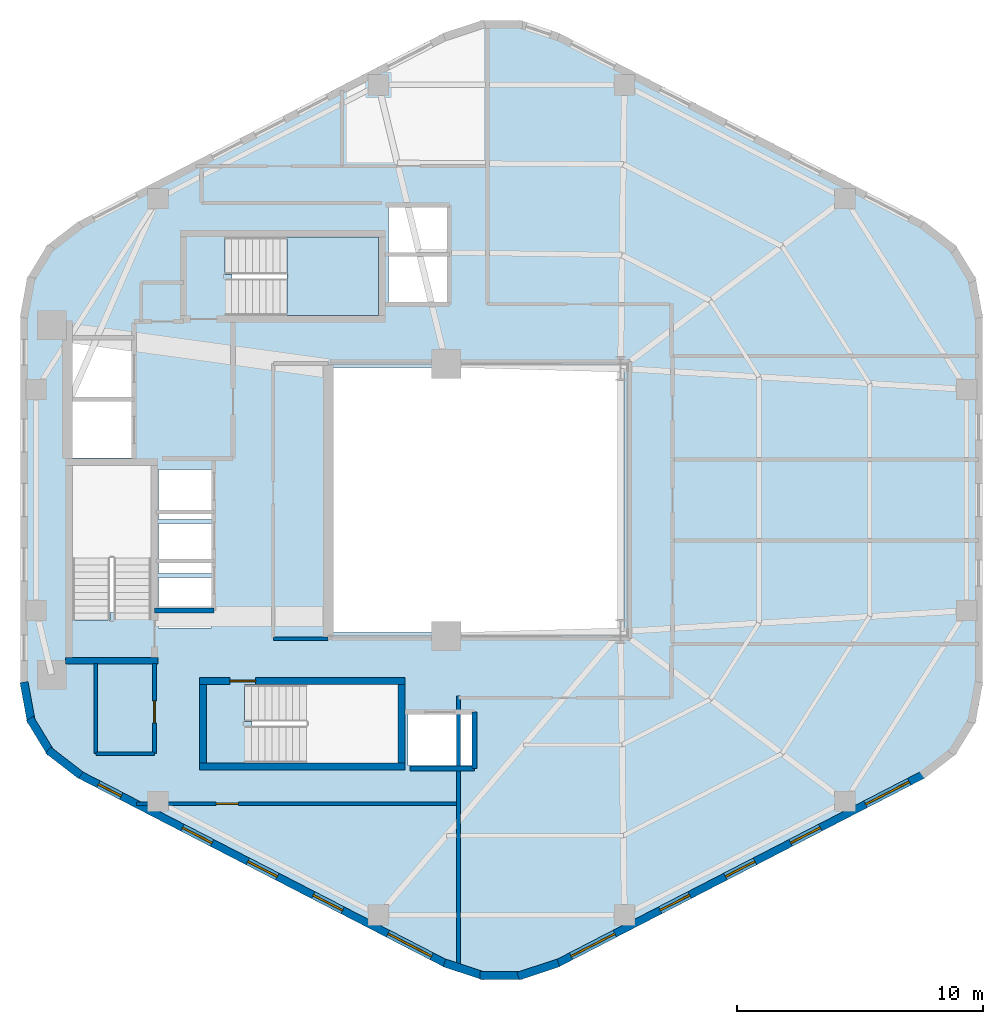
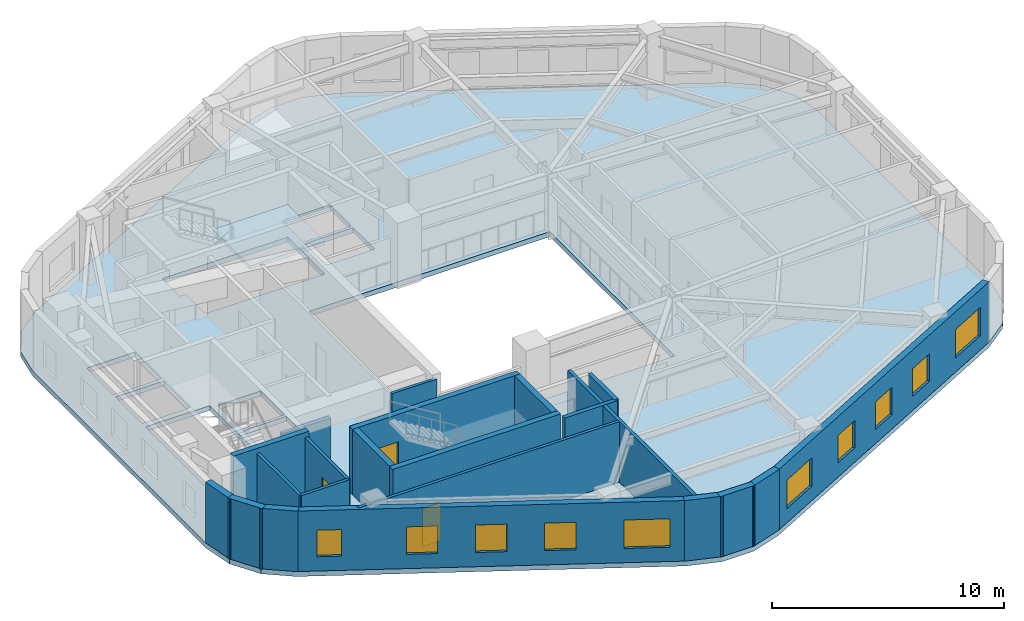
# One storey, part 2 of 6: 22 walls, 10 windows, 3 doors, 2 slabs, 13 openings, 1 element without a shape of its own.
"""IFC4 building model written with IfcOpenShell, lengths in metres."""

from ifc_helpers import new_model, si_unit, direction, frame, frame_2d, origin, place, context, subcontext, project, spatial, polyline, rectangle, outline, extrude, material, layer, layer_set, type_object, element, fill, aggregate, save


model = new_model("IFC4")

# Units and contexts
model_context = context("Model", 3, precision=1e-05, world=origin(), true_north=direction((0.0, 1.0)))
body_context = subcontext(model_context, "Body", "Model", "MODEL_VIEW")
ifc_project = project(units=[si_unit("LENGTHUNIT", "METRE"), si_unit("AREAUNIT", "SQUARE_METRE"), si_unit("VOLUMEUNIT", "CUBIC_METRE"), si_unit("PLANEANGLEUNIT", "RADIAN"), si_unit("MASSUNIT", "GRAM", prefix="KILO"), si_unit("THERMODYNAMICTEMPERATUREUNIT", "KELVIN"), si_unit("POWERUNIT", "WATT")], contexts=[model_context])

# Site, building, storey
site_placement = place(None, origin())
site = spatial("IfcSite", under=ifc_project, at=site_placement, CompositionType="ELEMENT")
building_placement = place(site_placement, origin())
building = spatial("IfcBuilding", under=site, at=building_placement, Name="Skarre Station Tower", CompositionType="ELEMENT")
storey_placement = place(building_placement, frame((0.0, 0.0, 206.800048828125)))
storey = spatial("IfcBuildingStorey", under=building, at=storey_placement, Name="L56", CompositionType="ELEMENT", Elevation=206.800048828125)

# Stair, slab
ifc_material_1 = material(Name="Concrete C40/50", Category="concrete")
stair_type = type_object("IfcStairType", Name="Reinforced Concrete Exit Stair ST-3", PredefinedType="HALF_TURN_STAIR", material=ifc_material_1)
stair_placement = place(storey_placement, origin())
stair = element("IfcStair", 1, at=stair_placement, inside=storey, type_object=stair_type, Name="L56 Core Exit Stair ST-3", PredefinedType="HALF_TURN_STAIR")
ifc_layer_1 = layer(ifc_material_1, 0.219970703125, Name="Concrete C40/50")
ifc_layer_set_1 = layer_set([ifc_layer_1], Name="Concrete C40/50")
slab_type_1 = type_object("IfcSlabType", Name="Reinforced Concrete Stair & Ramp Landing 220", PredefinedType="LANDING", material=ifc_layer_set_1)
slab_1_placement = place(storey_placement, frame((0.0, 0.0, 1.52490234375)))
slab_1 = element("IfcSlab", 2, at=slab_1_placement, type_object=slab_type_1, Name="ST-3 landing 1", PredefinedType="LANDING", context=body_context, shape_type="SweptSolid", body=[
    extrude(outline(polyline([(25.8701171875, 31.5), (29.60009765625, 31.5), (29.60009765625, 34.699951171875), (25.8701171875, 34.699951171875), (25.8701171875, 31.5)])), origin(), (0.0, 0.0, 1.0), 0.199951171875),
])
aggregate(stair, [slab_1])

# Slab
ifc_material_2 = material(Name="Concrete C50/60", Category="concrete")
ifc_layer_2 = layer(ifc_material_2, 0.260009765625, Name="Concrete C50/60")
ifc_layer_set_2 = layer_set([ifc_layer_2], Name="Concrete C50/60")
slab_type_2 = type_object("IfcSlabType", Name="Tower Typical Composite Floor Slab 260", PredefinedType="FLOOR", material=ifc_layer_set_2)
slab_2_placement = place(storey_placement, frame((0.0, 0.0, -0.260009765625)))
element("IfcSlab", 3, at=slab_2_placement, inside=storey, type_object=slab_type_2, Name="L56 Zone 3 Structural Floor Slab", PredefinedType="FLOOR", context=body_context, shape_type="SweptSolid", body=[
    extrude(outline(polyline([(54.172119140625, 31.501953125), (53.89208984375, 33.02294921875), (53.0869140625, 34.344970703125), (51.863037109375, 35.291015625), (36.908935546875, 43.009033203125), (35.39599609375, 43.506103515625), (33.803955078125, 43.506103515625), (32.291015625, 43.009033203125), (17.3369140625, 35.291015625), (16.113037109375, 34.344970703125), (15.30810546875, 33.02294921875), (15.028076171875, 31.501953125), (15.028076171875, 16.498046875), (15.30810546875, 14.97705078125), (16.113037109375, 13.655029296875), (17.3369140625, 12.708984375), (32.291015625, 4.990966796875), (33.803955078125, 4.493896484375), (35.39599609375, 4.493896484375), (36.908935546875, 4.990966796875), (51.863037109375, 12.708984375), (53.0869140625, 13.655029296875), (53.89208984375, 14.97705078125), (54.172119140625, 16.498046875), (54.172119140625, 31.501953125)]), holes=[polyline([(18.669921875, 19.419921875), (18.669921875, 19.123046875), (17.14990234375, 19.123046875), (17.14990234375, 25.39990234375), (20.35009765625, 25.39990234375), (20.35009765625, 19.419921875), (18.669921875, 19.419921875)]), polyline([(24.449951171875, 14.97998046875), (24.153076171875, 14.97998046875), (24.153076171875, 16.5), (30.39990234375, 16.5), (30.39990234375, 13.300048828125), (24.449951171875, 13.300048828125), (24.449951171875, 14.97998046875)]), polyline([(23.64990234375, 33.179931640625), (23.35302734375, 33.179931640625), (23.35302734375, 34.699951171875), (29.60009765625, 34.699951171875), (29.60009765625, 31.5), (23.64990234375, 31.5), (23.64990234375, 33.179931640625)]), polyline([(17.14990234375, 28.0), (19.550048828125, 28.0), (19.550048828125, 25.699951171875), (17.14990234375, 25.699951171875), (17.14990234375, 28.0)]), polyline([(17.14990234375, 30.5), (19.550048828125, 30.5), (19.550048828125, 28.199951171875), (17.14990234375, 28.199951171875), (17.14990234375, 30.5)]), polyline([(30.800048828125, 15.300048828125), (33.39990234375, 15.300048828125), (33.39990234375, 13.199951171875), (30.800048828125, 13.199951171875), (30.800048828125, 15.300048828125)]), polyline([(20.64990234375, 20.85009765625), (22.800048828125, 20.85009765625), (22.800048828125, 18.800048828125), (20.64990234375, 18.800048828125), (20.64990234375, 20.85009765625)]), polyline([(20.64990234375, 23.050048828125), (22.800048828125, 23.050048828125), (22.800048828125, 21.0), (20.64990234375, 21.0), (20.64990234375, 23.050048828125)]), polyline([(20.64990234375, 25.25), (22.800048828125, 25.25), (22.800048828125, 23.199951171875), (20.64990234375, 23.199951171875), (20.64990234375, 25.25)]), polyline([(30.0, 33.89990234375), (32.39990234375, 33.89990234375), (32.39990234375, 32.050048828125), (30.0, 32.050048828125), (30.0, 33.89990234375)]), polyline([(30.0, 35.89990234375), (32.39990234375, 35.89990234375), (32.39990234375, 34.050048828125), (30.0, 34.050048828125), (30.0, 35.89990234375)]), polyline([(27.60009765625, 29.39990234375), (39.60009765625, 29.39990234375), (39.60009765625, 18.60009765625), (27.60009765625, 18.60009765625), (27.60009765625, 29.39990234375)])]), origin(), (0.0, 0.0, 1.0), 0.260009765625),
])

# Walls
ifc_material_3 = material(Name="Acoustic Steel-Stud Gypsum Partition", Category="steel")
ifc_layer_3 = layer(ifc_material_3, 0.14990234375, Name="Acoustic Steel-Stud Gypsum Partition")
ifc_layer_set_3 = layer_set([ifc_layer_3], Name="Acoustic Steel-Stud Gypsum Partition")
wall_type_1 = type_object("IfcWallType", Name="Fire-Rated Corridor Acoustic Partition 150", PredefinedType="PARTITIONING", material=ifc_layer_set_3)
wall_1_placement = place(storey_placement, frame((25.320068359375, 18.360107421875, 0.0), z_axis=(0.0, 0.0, 1.0), x_axis=(1.0, 0.0, 0.0)))
element("IfcWall", 4, at=wall_1_placement, inside=storey, type_object=wall_type_1, Name="L56 Interior Partition WL-PT-L56-RC2-S", PredefinedType="PARTITIONING", context=body_context, shape_type="SweptSolid", body=[
    extrude(rectangle(XDim=2.22998046875, YDim=0.14990234375, at=frame_2d((1.114990234375, 0.0))), origin(), (0.0, 0.0, 1.0), 3.18994140625),
])
wall_2_placement = place(storey_placement, frame((18.10009765625, 17.340087890625, 0.0), z_axis=(0.0, 0.0, 1.0), x_axis=(0.0, -1.0, 0.0)))
element("IfcWall", 5, at=wall_2_placement, inside=storey, type_object=wall_type_1, Name="L56 Interior Partition WL-PT-L56-CSVC-W", PredefinedType="PARTITIONING", context=body_context, shape_type="SweptSolid", body=[
    extrude(rectangle(XDim=3.66015625, YDim=0.14990234375, at=frame_2d((1.830078125, 0.0))), origin(), (0.0, 0.0, 1.0), 3.18994140625),
])
wall_3_placement = place(storey_placement, frame((18.10009765625, 13.679931640625, 0.0), z_axis=(0.0, 0.0, 1.0), x_axis=(1.0, 0.0, 0.0)))
element("IfcWall", 6, at=wall_3_placement, inside=storey, type_object=wall_type_1, Name="L56 Interior Partition WL-PT-L56-CSVC-S", PredefinedType="PARTITIONING", context=body_context, shape_type="SweptSolid", body=[
    extrude(rectangle(XDim=2.389892578125, YDim=0.14990234375, at=frame_2d((1.19482421875, 0.0))), origin(), (0.0, 0.0, 1.0), 3.18994140625),
])

# Wall, opening, door
wall_4_placement = place(storey_placement, frame((20.489990234375, 13.679931640625, 0.0), z_axis=(0.0, 0.0, 1.0), x_axis=(0.0, 1.0, 0.0)))
wall_4 = element("IfcWall", 7, at=wall_4_placement, inside=storey, type_object=wall_type_1, Name="L56 Interior Partition WL-PT-L56-CSVC-E", PredefinedType="PARTITIONING", context=body_context, shape_type="SweptSolid", body=[
    extrude(rectangle(XDim=3.66015625, YDim=0.14990234375, at=frame_2d((1.830078125, 0.0))), origin(), (0.0, 0.0, 1.0), 3.18994140625),
])
opening_1_placement = place(wall_4_placement, frame((1.25, 0.0, 0.0)))
opening_1 = element("IfcOpeningElement", 8, at=opening_1_placement, cuts=wall_4, Name="Opening DR-SVC90", PredefinedType="OPENING", context=body_context, shape_type="SweptSolid", body=[
    extrude(rectangle(XDim=0.89990234375, YDim=2.0, at=frame_2d((0.449951171875, 1.0))), frame((0.0, 0.0849609375, 0.0), z_axis=(0.0, -1.0, 0.0), x_axis=(1.0, 0.0, 0.0)), (0.0, 0.0, 1.0), 0.169921875),
])
ifc_material_4 = material(Name="Powder-Coated Hollow-Metal Acoustic Fire Leaf", Category="steel")
door_type_1 = type_object("IfcDoorType", Name="Service & Riser Fire Door FD60 900x2100", OperationType="SINGLE_SWING_LEFT", PredefinedType="DOOR", material=ifc_material_4)
door_1_placement = place(opening_1_placement, origin())
door_1 = element("IfcDoor", 9, at=door_1_placement, inside=storey, type_object=door_type_1, Name="L56 Core Pantry Door", OperationType="SINGLE_SWING_LEFT", OverallHeight=2.0, OverallWidth=0.89990234375, PredefinedType="DOOR", context=body_context, shape_type="SweptSolid", body=[
    extrude(rectangle(XDim=0.89990234375, YDim=2.0, at=frame_2d((0.449951171875, 1.0))), frame((0.0, 0.02490234375, 0.0), z_axis=(0.0, -1.0, 0.0), x_axis=(1.0, 0.0, 0.0)), (0.0, 0.0, 1.0), 0.050048828125),
])
fill(opening_1, door_1)

wall_5_placement = place(storey_placement, frame((19.757080078125, 11.639892578125, 0.0), z_axis=(0.0, 0.0, 1.0), x_axis=(1.0, 0.0, 0.0)))
wall_5 = element("IfcWall", 10, at=wall_5_placement, inside=storey, type_object=wall_type_1, Name="L56 Interior Partition WL-PT-L56-SWP-N", PredefinedType="PARTITIONING", context=body_context, shape_type="SweptSolid", body=[
    extrude(rectangle(XDim=13.093017578125, YDim=0.14990234375, at=frame_2d((6.54638671875, 0.0))), origin(), (0.0, 0.0, 1.0), 3.18994140625),
])
opening_2_placement = place(wall_5_placement, frame((3.242919921875, 0.0, 0.0)))
opening_2 = element("IfcOpeningElement", 11, at=opening_2_placement, cuts=wall_5, Name="Opening DR-SVC90", PredefinedType="OPENING", context=body_context, shape_type="SweptSolid", body=[
    extrude(rectangle(XDim=0.89990234375, YDim=2.0, at=frame_2d((0.449951171875, 1.0))), frame((0.0, 0.0849609375, 0.0), z_axis=(0.0, -1.0, 0.0), x_axis=(1.0, 0.0, 0.0)), (0.0, 0.0, 1.0), 0.169921875),
])
door_2_placement = place(opening_2_placement, origin())
door_2 = element("IfcDoor", 12, at=door_2_placement, inside=storey, type_object=door_type_1, Name="L56 Floor Public Toilets Door", OperationType="SINGLE_SWING_LEFT", OverallHeight=2.0, OverallWidth=0.89990234375, PredefinedType="DOOR", context=body_context, shape_type="SweptSolid", body=[
    extrude(rectangle(XDim=0.89990234375, YDim=2.0, at=frame_2d((0.449951171875, 1.0))), frame((0.0, 0.02490234375, 0.0), z_axis=(0.0, -1.0, 0.0), x_axis=(1.0, 0.0, 0.0)), (0.0, 0.0, 1.0), 0.050048828125),
])
fill(opening_2, door_2)

# Walls
ifc_material_5 = material(Name="Precast concrete C45/55", Category="concrete")
ifc_layer_4 = layer(ifc_material_5, 0.330078125, Name="Precast concrete C45/55")
ifc_layer_set_4 = layer_set([ifc_layer_4], Name="Precast concrete C45/55")
wall_type_2 = type_object("IfcWallType", Name="Nordic Rounded Corner Precast Wall 330", PredefinedType="STANDARD", material=ifc_layer_set_4)
wall_6_placement = place(storey_placement, frame((17.489013671875, 12.800048828125, 0.0), z_axis=(0.0, 0.0, 1.0), x_axis=(-0.791409877269, 0.611285862884, 0.0)))
element("IfcWall", 13, at=wall_6_placement, inside=storey, type_object=wall_type_2, Name="L56 Rounded Corner Precast Wall F3-1", PredefinedType="STANDARD", context=body_context, shape_type="SweptSolid", body=[
    extrude(rectangle(XDim=1.676513671875, YDim=0.330078125, at=frame_2d((0.83837890625, 0.0))), origin(), (0.0, 0.0, 1.0), 3.18994140625),
])
wall_7_placement = place(storey_placement, frame((16.2880859375, 13.68505859375, 0.0), z_axis=(0.0, 0.0, 1.0), x_axis=(-0.520325409202, 0.853968072318, 0.0)))
element("IfcWall", 14, at=wall_7_placement, inside=storey, type_object=wall_type_2, Name="L56 Rounded Corner Precast Wall F3-2", PredefinedType="STANDARD", context=body_context, shape_type="SweptSolid", body=[
    extrude(rectangle(XDim=1.677978515625, YDim=0.330078125, at=frame_2d((0.8388671875, 0.0))), origin(), (0.0, 0.0, 1.0), 3.18994140625),
])
wall_8_placement = place(storey_placement, frame((15.48193359375, 14.943115234375, 0.0), z_axis=(0.0, 0.0, 1.0), x_axis=(-0.180717642671, 0.983535019014, 0.0)))
element("IfcWall", 15, at=wall_8_placement, inside=storey, type_object=wall_type_2, Name="L56 Rounded Corner Precast Wall F3-3", PredefinedType="STANDARD", context=body_context, shape_type="SweptSolid", body=[
    extrude(rectangle(XDim=1.676513671875, YDim=0.330078125, at=frame_2d((0.83837890625, 0.0))), origin(), (0.0, 0.0, 1.0), 3.18994140625),
])
wall_9_placement = place(storey_placement, frame((36.9189453125, 5.16796875, 0.0), z_axis=(0.0, 0.0, 1.0), x_axis=(-0.949937416267, -0.312440242569, 0.0)))
element("IfcWall", 16, at=wall_9_placement, inside=storey, type_object=wall_type_2, Name="L56 Rounded Corner Precast Wall F4-1", PredefinedType="STANDARD", context=body_context, shape_type="SweptSolid", body=[
    extrude(rectangle(XDim=1.72216796875, YDim=0.330078125, at=frame_2d((0.861083984375, 0.0))), origin(), (0.0, 0.0, 1.0), 3.18994140625),
])
wall_10_placement = place(storey_placement, frame((35.4609375, 4.658935546875, 0.0), z_axis=(0.0, 0.0, 1.0), x_axis=(-1.0, 0.0, 0.0)))
element("IfcWall", 17, at=wall_10_placement, inside=storey, type_object=wall_type_2, Name="L56 Rounded Corner Precast Wall F4-2", PredefinedType="STANDARD", context=body_context, shape_type="SweptSolid", body=[
    extrude(rectangle(XDim=1.721923828125, YDim=0.330078125, at=frame_2d((0.86083984375, 0.0))), origin(), (0.0, 0.0, 1.0), 3.18994140625),
])
wall_11_placement = place(storey_placement, frame((33.9169921875, 4.6298828125, 0.0), z_axis=(0.0, 0.0, 1.0), x_axis=(-0.949937416267, 0.312440242569, 0.0)))
element("IfcWall", 18, at=wall_11_placement, inside=storey, type_object=wall_type_2, Name="L56 Rounded Corner Precast Wall F4-3", PredefinedType="STANDARD", context=body_context, shape_type="SweptSolid", body=[
    extrude(rectangle(XDim=1.72216796875, YDim=0.330078125, at=frame_2d((0.861083984375, 0.0))), origin(), (0.0, 0.0, 1.0), 3.18994140625),
])

# Wall, openings, windows
ifc_layer_5 = layer(ifc_material_5, 0.31005859375, Name="Precast concrete C45/55")
ifc_layer_set_5 = layer_set([ifc_layer_5], Name="Precast concrete C45/55")
wall_type_3 = type_object("IfcWallType", Name="Nordic Upper-Zone Precast Facet Wall 310", PredefinedType="STANDARD", material=ifc_layer_set_5)
wall_12_placement = place(storey_placement, frame((32.362060546875, 5.12890625, 0.0), z_axis=(0.0, 0.0, 1.0), x_axis=(-0.888626188278, 0.458632202867, 0.0)))
wall_12 = element("IfcWall", 19, at=wall_12_placement, inside=storey, type_object=wall_type_3, Name="L56 Facet 3 Nordic Precast Masonry Wall", PredefinedType="STANDARD", context=body_context, shape_type="SweptSolid", body=[
    extrude(rectangle(XDim=16.828369140625, YDim=0.31005859375, at=frame_2d((8.4140625, 0.0))), origin(), (0.0, 0.0, 1.0), 3.18994140625),
])
opening_3_placement = place(wall_12_placement, frame((0.675048828125, 0.0, 0.75)))
opening_3 = element("IfcOpeningElement", 20, at=opening_3_placement, cuts=wall_12, Name="Opening WN-Z3A", PredefinedType="OPENING", context=body_context, shape_type="SweptSolid", body=[
    extrude(rectangle(XDim=2.0, YDim=1.5, at=frame_2d((1.0, 0.75))), frame((0.0, 0.1650390625, 0.0), z_axis=(0.0, -1.0, 0.0), x_axis=(1.0, 0.0, 0.0)), (0.0, 0.0, 1.0), 0.330078125),
])
opening_4_placement = place(wall_12_placement, frame((4.75, 0.0, 0.75)))
opening_4 = element("IfcOpeningElement", 21, at=opening_4_placement, cuts=wall_12, Name="Opening WN-Z3B", PredefinedType="OPENING", context=body_context, shape_type="SweptSolid", body=[
    extrude(rectangle(XDim=1.35009765625, YDim=1.449951171875, at=frame_2d((0.675048828125, 0.72509765625))), frame((0.0, 0.1650390625, 0.0), z_axis=(0.0, -1.0, 0.0), x_axis=(1.0, 0.0, 0.0)), (0.0, 0.0, 1.0), 0.330078125),
])
opening_5_placement = place(wall_12_placement, frame((7.739013671875, 0.0, 0.75)))
opening_5 = element("IfcOpeningElement", 22, at=opening_5_placement, cuts=wall_12, Name="Opening WN-Z3B", PredefinedType="OPENING", context=body_context, shape_type="SweptSolid", body=[
    extrude(rectangle(XDim=1.35009765625, YDim=1.449951171875, at=frame_2d((0.675048828125, 0.72509765625))), frame((0.0, 0.1650390625, 0.0), z_axis=(0.0, -1.0, 0.0), x_axis=(1.0, 0.0, 0.0)), (0.0, 0.0, 1.0), 0.330078125),
])
opening_6_placement = place(wall_12_placement, frame((10.72802734375, 0.0, 0.75)))
opening_6 = element("IfcOpeningElement", 23, at=opening_6_placement, cuts=wall_12, Name="Opening WN-Z3B", PredefinedType="OPENING", context=body_context, shape_type="SweptSolid", body=[
    extrude(rectangle(XDim=1.35009765625, YDim=1.449951171875, at=frame_2d((0.675048828125, 0.72509765625))), frame((0.0, 0.1650390625, 0.0), z_axis=(0.0, -1.0, 0.0), x_axis=(1.0, 0.0, 0.0)), (0.0, 0.0, 1.0), 0.330078125),
])
opening_7_placement = place(wall_12_placement, frame((14.885009765625, 0.0, 0.75)))
opening_7 = element("IfcOpeningElement", 24, at=opening_7_placement, cuts=wall_12, Name="Opening WN-SLT", PredefinedType="OPENING", context=body_context, shape_type="SweptSolid", body=[
    extrude(rectangle(XDim=1.050048828125, YDim=1.39990234375, at=frame_2d((0.52490234375, 0.699951171875))), frame((0.0, 0.1650390625, 0.0), z_axis=(0.0, -1.0, 0.0), x_axis=(1.0, 0.0, 0.0)), (0.0, 0.0, 1.0), 0.330078125),
])
ifc_material_6 = material(Name="Low-Iron Triple Glazing with Bronze Anodized Frame", Category="glass")
window_type_1 = type_object("IfcWindowType", Name="Nordic Corner Slot Window 1050x1400", PartitioningType="SINGLE_PANEL", PredefinedType="WINDOW", material=ifc_material_6)
window_1_placement = place(opening_7_placement, origin())
window_1 = element("IfcWindow", 25, at=window_1_placement, inside=storey, type_object=window_type_1, Name="L56 Facade Window WL-FAC-L56-F3-5", OverallHeight=1.39990234375, OverallWidth=1.050048828125, PartitioningType="SINGLE_PANEL", PredefinedType="WINDOW", context=body_context, shape_type="SweptSolid", body=[
    extrude(rectangle(XDim=1.050048828125, YDim=1.39990234375, at=frame_2d((0.52490234375, 0.699951171875))), frame((0.0, 0.030029296875, 0.0), z_axis=(0.0, -1.0, 0.0), x_axis=(1.0, 0.0, 0.0)), (0.0, 0.0, 1.0), 0.06005859375),
])
fill(opening_7, window_1)
window_type_2 = type_object("IfcWindowType", Name="Nordic Hospitality Narrow Window 1350x1450", PartitioningType="SINGLE_PANEL", PredefinedType="WINDOW", material=ifc_material_6)
window_2_placement = place(opening_4_placement, origin())
window_2 = element("IfcWindow", 26, at=window_2_placement, inside=storey, type_object=window_type_2, Name="L56 Facade Window WL-FAC-L56-F3-2", OverallHeight=1.449951171875, OverallWidth=1.35009765625, PartitioningType="SINGLE_PANEL", PredefinedType="WINDOW", context=body_context, shape_type="SweptSolid", body=[
    extrude(rectangle(XDim=1.35009765625, YDim=1.449951171875, at=frame_2d((0.675048828125, 0.72509765625))), frame((0.0, 0.030029296875, 0.0), z_axis=(0.0, -1.0, 0.0), x_axis=(1.0, 0.0, 0.0)), (0.0, 0.0, 1.0), 0.06005859375),
])
fill(opening_4, window_2)
window_3_placement = place(opening_5_placement, origin())
window_3 = element("IfcWindow", 27, at=window_3_placement, inside=storey, type_object=window_type_2, Name="L56 Facade Window WL-FAC-L56-F3-3", OverallHeight=1.449951171875, OverallWidth=1.35009765625, PartitioningType="SINGLE_PANEL", PredefinedType="WINDOW", context=body_context, shape_type="SweptSolid", body=[
    extrude(rectangle(XDim=1.35009765625, YDim=1.449951171875, at=frame_2d((0.675048828125, 0.72509765625))), frame((0.0, 0.030029296875, 0.0), z_axis=(0.0, -1.0, 0.0), x_axis=(1.0, 0.0, 0.0)), (0.0, 0.0, 1.0), 0.06005859375),
])
fill(opening_5, window_3)
window_4_placement = place(opening_6_placement, origin())
window_4 = element("IfcWindow", 28, at=window_4_placement, inside=storey, type_object=window_type_2, Name="L56 Facade Window WL-FAC-L56-F3-4", OverallHeight=1.449951171875, OverallWidth=1.35009765625, PartitioningType="SINGLE_PANEL", PredefinedType="WINDOW", context=body_context, shape_type="SweptSolid", body=[
    extrude(rectangle(XDim=1.35009765625, YDim=1.449951171875, at=frame_2d((0.675048828125, 0.72509765625))), frame((0.0, 0.030029296875, 0.0), z_axis=(0.0, -1.0, 0.0), x_axis=(1.0, 0.0, 0.0)), (0.0, 0.0, 1.0), 0.06005859375),
])
fill(opening_6, window_4)
window_type_3 = type_object("IfcWindowType", Name="Nordic Hospitality Window 2000x1500", PartitioningType="SINGLE_PANEL", PredefinedType="WINDOW", material=ifc_material_6)
window_5_placement = place(opening_3_placement, origin())
window_5 = element("IfcWindow", 29, at=window_5_placement, inside=storey, type_object=window_type_3, Name="L56 Facade Window WL-FAC-L56-F3-1", OverallHeight=1.5, OverallWidth=2.0, PartitioningType="SINGLE_PANEL", PredefinedType="WINDOW", context=body_context, shape_type="SweptSolid", body=[
    extrude(rectangle(XDim=2.0, YDim=1.5, at=frame_2d((1.0, 0.75))), frame((0.0, 0.030029296875, 0.0), z_axis=(0.0, -1.0, 0.0), x_axis=(1.0, 0.0, 0.0)), (0.0, 0.0, 1.0), 0.06005859375),
])
fill(opening_3, window_5)

wall_13_placement = place(storey_placement, frame((51.7919921875, 12.846923828125, 0.0), z_axis=(0.0, 0.0, 1.0), x_axis=(-0.888626188278, -0.458632202867, 0.0)))
wall_13 = element("IfcWall", 30, at=wall_13_placement, inside=storey, type_object=wall_type_3, Name="L56 Facet 4 Nordic Precast Masonry Wall", PredefinedType="STANDARD", context=body_context, shape_type="SweptSolid", body=[
    extrude(rectangle(XDim=16.828369140625, YDim=0.31005859375, at=frame_2d((8.4140625, 0.0))), origin(), (0.0, 0.0, 1.0), 3.18994140625),
])
opening_8_placement = place(wall_13_placement, frame((0.675048828125, 0.0, 0.75)))
opening_8 = element("IfcOpeningElement", 31, at=opening_8_placement, cuts=wall_13, Name="Opening WN-Z3A", PredefinedType="OPENING", context=body_context, shape_type="SweptSolid", body=[
    extrude(rectangle(XDim=2.0, YDim=1.5, at=frame_2d((1.0, 0.75))), frame((0.0, 0.1650390625, 0.0), z_axis=(0.0, -1.0, 0.0), x_axis=(1.0, 0.0, 0.0)), (0.0, 0.0, 1.0), 0.330078125),
])
opening_9_placement = place(wall_13_placement, frame((4.75, 0.0, 0.75)))
opening_9 = element("IfcOpeningElement", 32, at=opening_9_placement, cuts=wall_13, Name="Opening WN-Z3B", PredefinedType="OPENING", context=body_context, shape_type="SweptSolid", body=[
    extrude(rectangle(XDim=1.35009765625, YDim=1.449951171875, at=frame_2d((0.675048828125, 0.72509765625))), frame((0.0, 0.1650390625, 0.0), z_axis=(0.0, -1.0, 0.0), x_axis=(1.0, 0.0, 0.0)), (0.0, 0.0, 1.0), 0.330078125),
])
opening_10_placement = place(wall_13_placement, frame((7.739013671875, 0.0, 0.75)))
opening_10 = element("IfcOpeningElement", 33, at=opening_10_placement, cuts=wall_13, Name="Opening WN-Z3B", PredefinedType="OPENING", context=body_context, shape_type="SweptSolid", body=[
    extrude(rectangle(XDim=1.35009765625, YDim=1.449951171875, at=frame_2d((0.675048828125, 0.72509765625))), frame((0.0, 0.1650390625, 0.0), z_axis=(0.0, -1.0, 0.0), x_axis=(1.0, 0.0, 0.0)), (0.0, 0.0, 1.0), 0.330078125),
])
opening_11_placement = place(wall_13_placement, frame((10.72802734375, 0.0, 0.75)))
opening_11 = element("IfcOpeningElement", 34, at=opening_11_placement, cuts=wall_13, Name="Opening WN-Z3B", PredefinedType="OPENING", context=body_context, shape_type="SweptSolid", body=[
    extrude(rectangle(XDim=1.35009765625, YDim=1.449951171875, at=frame_2d((0.675048828125, 0.72509765625))), frame((0.0, 0.1650390625, 0.0), z_axis=(0.0, -1.0, 0.0), x_axis=(1.0, 0.0, 0.0)), (0.0, 0.0, 1.0), 0.330078125),
])
opening_12_placement = place(wall_13_placement, frame((14.153076171875, 0.0, 0.75)))
opening_12 = element("IfcOpeningElement", 35, at=opening_12_placement, cuts=wall_13, Name="Opening WN-Z3A", PredefinedType="OPENING", context=body_context, shape_type="SweptSolid", body=[
    extrude(rectangle(XDim=2.0, YDim=1.5, at=frame_2d((1.0, 0.75))), frame((0.0, 0.1650390625, 0.0), z_axis=(0.0, -1.0, 0.0), x_axis=(1.0, 0.0, 0.0)), (0.0, 0.0, 1.0), 0.330078125),
])
window_6_placement = place(opening_9_placement, origin())
window_6 = element("IfcWindow", 36, at=window_6_placement, inside=storey, type_object=window_type_2, Name="L56 Facade Window WL-FAC-L56-F4-2", OverallHeight=1.449951171875, OverallWidth=1.35009765625, PartitioningType="SINGLE_PANEL", PredefinedType="WINDOW", context=body_context, shape_type="SweptSolid", body=[
    extrude(rectangle(XDim=1.35009765625, YDim=1.449951171875, at=frame_2d((0.675048828125, 0.72509765625))), frame((0.0, 0.030029296875, 0.0), z_axis=(0.0, -1.0, 0.0), x_axis=(1.0, 0.0, 0.0)), (0.0, 0.0, 1.0), 0.06005859375),
])
fill(opening_9, window_6)
window_7_placement = place(opening_10_placement, origin())
window_7 = element("IfcWindow", 37, at=window_7_placement, inside=storey, type_object=window_type_2, Name="L56 Facade Window WL-FAC-L56-F4-3", OverallHeight=1.449951171875, OverallWidth=1.35009765625, PartitioningType="SINGLE_PANEL", PredefinedType="WINDOW", context=body_context, shape_type="SweptSolid", body=[
    extrude(rectangle(XDim=1.35009765625, YDim=1.449951171875, at=frame_2d((0.675048828125, 0.72509765625))), frame((0.0, 0.030029296875, 0.0), z_axis=(0.0, -1.0, 0.0), x_axis=(1.0, 0.0, 0.0)), (0.0, 0.0, 1.0), 0.06005859375),
])
fill(opening_10, window_7)
window_8_placement = place(opening_11_placement, origin())
window_8 = element("IfcWindow", 38, at=window_8_placement, inside=storey, type_object=window_type_2, Name="L56 Facade Window WL-FAC-L56-F4-4", OverallHeight=1.449951171875, OverallWidth=1.35009765625, PartitioningType="SINGLE_PANEL", PredefinedType="WINDOW", context=body_context, shape_type="SweptSolid", body=[
    extrude(rectangle(XDim=1.35009765625, YDim=1.449951171875, at=frame_2d((0.675048828125, 0.72509765625))), frame((0.0, 0.030029296875, 0.0), z_axis=(0.0, -1.0, 0.0), x_axis=(1.0, 0.0, 0.0)), (0.0, 0.0, 1.0), 0.06005859375),
])
fill(opening_11, window_8)
window_9_placement = place(opening_8_placement, origin())
window_9 = element("IfcWindow", 39, at=window_9_placement, inside=storey, type_object=window_type_3, Name="L56 Facade Window WL-FAC-L56-F4-1", OverallHeight=1.5, OverallWidth=2.0, PartitioningType="SINGLE_PANEL", PredefinedType="WINDOW", context=body_context, shape_type="SweptSolid", body=[
    extrude(rectangle(XDim=2.0, YDim=1.5, at=frame_2d((1.0, 0.75))), frame((0.0, 0.030029296875, 0.0), z_axis=(0.0, -1.0, 0.0), x_axis=(1.0, 0.0, 0.0)), (0.0, 0.0, 1.0), 0.06005859375),
])
fill(opening_8, window_9)
window_10_placement = place(opening_12_placement, origin())
window_10 = element("IfcWindow", 40, at=window_10_placement, inside=storey, type_object=window_type_3, Name="L56 Facade Window WL-FAC-L56-F4-5", OverallHeight=1.5, OverallWidth=2.0, PartitioningType="SINGLE_PANEL", PredefinedType="WINDOW", context=body_context, shape_type="SweptSolid", body=[
    extrude(rectangle(XDim=2.0, YDim=1.5, at=frame_2d((1.0, 0.75))), frame((0.0, 0.030029296875, 0.0), z_axis=(0.0, -1.0, 0.0), x_axis=(1.0, 0.0, 0.0)), (0.0, 0.0, 1.0), 0.06005859375),
])
fill(opening_12, window_10)

# Walls
ifc_layer_6 = layer(ifc_material_2, 0.280029296875, Name="Concrete C50/60")
ifc_layer_set_6 = layer_set([ifc_layer_6], Name="Concrete C50/60")
wall_type_4 = type_object("IfcWallType", Name="RC Core Shear Wall 280", PredefinedType="SHEAR", material=ifc_layer_set_6)
wall_14_placement = place(storey_placement, frame((16.8701171875, 17.4599609375, 0.0), z_axis=(0.0, 0.0, 1.0), x_axis=(1.0, 0.0, 0.0)))
element("IfcWall", 41, at=wall_14_placement, inside=storey, type_object=wall_type_4, Name="L56 Stair ST-1 South Shear Wall", PredefinedType="SHEAR", context=body_context, shape_type="SweptSolid", body=[
    extrude(rectangle(XDim=3.759765625, YDim=0.280029296875, at=frame_2d((1.8798828125, 0.0))), origin(), (0.0, 0.0, 1.0), 3.449951171875),
])
wall_15_placement = place(storey_placement, frame((22.320068359375, 13.159912109375, 0.0), z_axis=(0.0, 0.0, 1.0), x_axis=(1.0, 0.0, 0.0)))
element("IfcWall", 42, at=wall_15_placement, inside=storey, type_object=wall_type_4, Name="L56 Stair ST-2 South Shear Wall", PredefinedType="SHEAR", context=body_context, shape_type="SweptSolid", body=[
    extrude(rectangle(XDim=8.35986328125, YDim=0.280029296875, at=frame_2d((4.179931640625, 0.0))), origin(), (0.0, 0.0, 1.0), 3.449951171875),
])

# Wall, opening, door
wall_16_placement = place(storey_placement, frame((30.679931640625, 16.639892578125, 0.0), z_axis=(0.0, 0.0, 1.0), x_axis=(-1.0, 0.0, 0.0)))
wall_16 = element("IfcWall", 43, at=wall_16_placement, inside=storey, type_object=wall_type_4, Name="L56 Stair ST-2 North Shear Wall", PredefinedType="SHEAR", context=body_context, shape_type="SweptSolid", body=[
    extrude(rectangle(XDim=8.35986328125, YDim=0.280029296875, at=frame_2d((4.179931640625, 0.0))), origin(), (0.0, 0.0, 1.0), 3.449951171875),
])
opening_13_placement = place(wall_16_placement, frame((6.080078125, 0.0, 0.0)))
opening_13 = element("IfcOpeningElement", 44, at=opening_13_placement, cuts=wall_16, Name="Opening DR-FD90", PredefinedType="OPENING", context=body_context, shape_type="SweptSolid", body=[
    extrude(rectangle(XDim=1.050048828125, YDim=2.0, at=frame_2d((0.52490234375, 1.0))), frame((0.0, 0.14990234375, 0.0), z_axis=(0.0, -1.0, 0.0), x_axis=(1.0, 0.0, 0.0)), (0.0, 0.0, 1.0), 0.300048828125),
])
ifc_material_7 = material(Name="Fire-Rated Insulated Steel Frame & Timber Core Leaf", Category="steel")
door_type_2 = type_object("IfcDoorType", Name="Stair & FSAE Lobby Fire Door FD90 1050x2150", OperationType="SINGLE_SWING_RIGHT", PredefinedType="DOOR", material=ifc_material_7)
door_3_placement = place(opening_13_placement, origin())
door_3 = element("IfcDoor", 45, at=door_3_placement, inside=storey, type_object=door_type_2, Name="L56 Stair ST-2 Exit Door", OperationType="SINGLE_SWING_RIGHT", OverallHeight=2.0, OverallWidth=1.050048828125, PredefinedType="DOOR", context=body_context, shape_type="SweptSolid", body=[
    extrude(rectangle(XDim=1.050048828125, YDim=2.0, at=frame_2d((0.52490234375, 1.0))), frame((0.0, 0.02490234375, 0.0), z_axis=(0.0, -1.0, 0.0), x_axis=(1.0, 0.0, 0.0)), (0.0, 0.0, 1.0), 0.050048828125),
])
fill(opening_13, door_3)

# Walls
for number, where, z_axis, x_axis, name in (
    (46, (22.4599609375, 16.5, 0.0), (0.0, 0.0, 1.0), (0.0, -1.0, 0.0), "L56 Stair ST-2 West Shear Wall"),
    (47, (30.5400390625, 13.300048828125, 0.0), (0.0, 0.0, 1.0), (0.0, 1.0, 0.0), "L56 Stair ST-2 East Shear Wall"),
):
    element("IfcWall", number, at=place(storey_placement, frame(where, z_axis=z_axis, x_axis=x_axis)), inside=storey, type_object=wall_type_4, Name=name, PredefinedType="SHEAR", context=body_context, shape_type="SweptSolid", body=[
        extrude(rectangle(XDim=3.199951171875, YDim=0.280029296875, at=frame_2d((1.60009765625, 0.0))), origin(), (0.0, 0.0, 1.0), 3.449951171875),
    ])
ifc_material_8 = material(Name="Gypsum Concrete Shaft Assembly C30/37", Category="concrete")
ifc_layer_7 = layer(ifc_material_8, 0.199951171875, Name="Gypsum Concrete Shaft Assembly C30/37")
ifc_layer_set_7 = layer_set([ifc_layer_7], Name="Gypsum Concrete Shaft Assembly C30/37")
wall_type_5 = type_object("IfcWallType", Name="Shaft & Core Fire Partition 200", PredefinedType="PARTITIONING", material=ifc_layer_set_7)
wall_17_placement = place(storey_placement, frame((33.5, 13.080078125, 0.0), z_axis=(0.0, 0.0, 1.0), x_axis=(0.0, 1.0, 0.0)))
element("IfcWall", 48, at=wall_17_placement, inside=storey, type_object=wall_type_5, Name="L56 Interior Partition WL-PT-L56-SV1-E", PredefinedType="PARTITIONING", context=body_context, shape_type="SweptSolid", body=[
    extrude(rectangle(XDim=2.2998046875, YDim=0.199951171875, at=frame_2d((1.14990234375, 0.0))), origin(), (0.0, 0.0, 1.0), 3.18994140625),
])
wall_18_placement = place(storey_placement, frame((30.87890625, 13.080078125, 0.0), z_axis=(0.0, 0.0, 1.0), x_axis=(1.0, 0.0, 0.0)))
element("IfcWall", 49, at=wall_18_placement, inside=storey, type_object=wall_type_5, Name="L56 Interior Partition WL-PT-L56-SV1-S", PredefinedType="PARTITIONING", context=body_context, shape_type="SweptSolid", body=[
    extrude(rectangle(XDim=2.62109375, YDim=0.199951171875, at=frame_2d((1.310546875, 0.0))), origin(), (0.0, 0.0, 1.0), 3.18994140625),
])
wall_19_placement = place(storey_placement, frame((20.489990234375, 19.5, 0.0), z_axis=(0.0, 0.0, 1.0), x_axis=(1.0, 0.0, 0.0)))
element("IfcWall", 50, at=wall_19_placement, inside=storey, type_object=wall_type_5, Name="L56 Interior Partition WL-PT-L56-B3-S", PredefinedType="PARTITIONING", context=body_context, shape_type="SweptSolid", body=[
    extrude(rectangle(XDim=2.409912109375, YDim=0.199951171875, at=frame_2d((1.205078125, 0.0))), origin(), (0.0, 0.0, 1.0), 2.08984375),
])
ifc_layer_8 = layer(ifc_material_3, 0.1650390625, Name="Acoustic Steel-Stud Gypsum Partition")
ifc_layer_set_8 = layer_set([ifc_layer_8], Name="Acoustic Steel-Stud Gypsum Partition")
wall_type_6 = type_object("IfcWallType", Name="Suite Demising Acoustic Partition 165", PredefinedType="PARTITIONING", material=ifc_layer_set_8)
wall_20_placement = place(storey_placement, frame((32.85009765625, 4.97607421875, 0.0), z_axis=(0.0, 0.0, 1.0), x_axis=(0.0, 1.0, 0.0)))
element("IfcWall", 51, at=wall_20_placement, inside=storey, type_object=wall_type_6, Name="L56 Interior Partition WL-PT-L56-SWP-E", PredefinedType="PARTITIONING", context=body_context, shape_type="SweptSolid", body=[
    extrude(rectangle(XDim=11.053955078125, YDim=0.1650390625, at=frame_2d((5.52685546875, 0.0))), origin(), (0.0, 0.0, 1.0), 3.18994140625),
])

save(model, "model.ifc")
